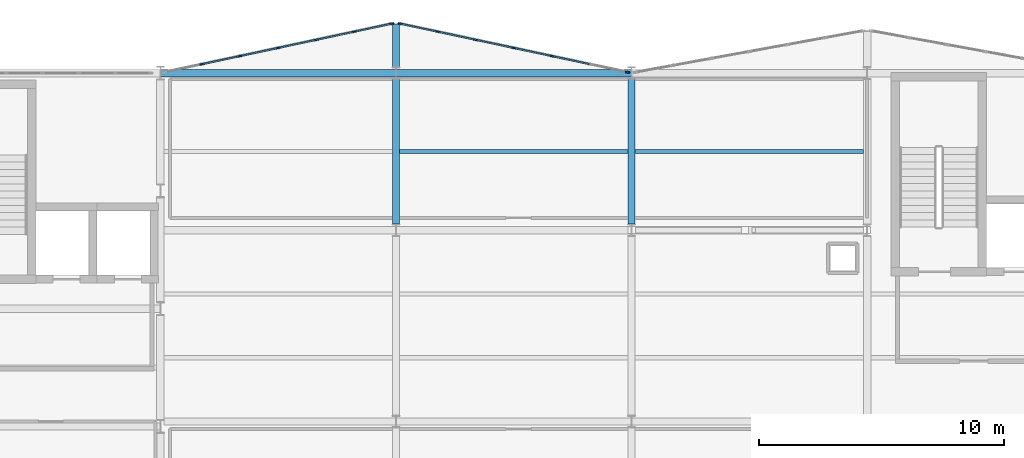
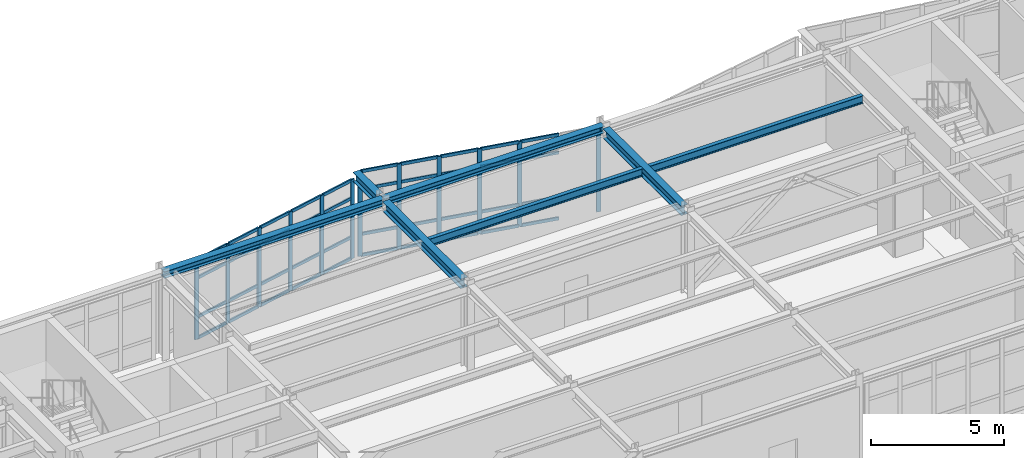
# One storey, part 35 of 76: 52 members, 7 beams, 2 elements without a shape of their own.
"""IFC4 building model written with IfcOpenShell, lengths in metres."""

from ifc_helpers import new_model, si_unit, direction, frame, origin, origin_2d, place, context, subcontext, project, spatial, rectangle, i_section, extrude, material, layer, layer_set, material_profile, profile_set, type_object, element, aggregate, save


model = new_model("IFC4")

# Units and contexts
model_context = context("Model", 3, precision=1e-05, world=origin(), true_north=direction((0.0, 1.0)))
body_context = subcontext(model_context, "Body", "Model", "MODEL_VIEW")
ifc_project = project(units=[si_unit("LENGTHUNIT", "METRE"), si_unit("AREAUNIT", "SQUARE_METRE"), si_unit("VOLUMEUNIT", "CUBIC_METRE"), si_unit("PLANEANGLEUNIT", "RADIAN"), si_unit("MASSUNIT", "GRAM", prefix="KILO")], contexts=[model_context])

# Site, building, storey
site_placement = place(None, origin())
site = spatial("IfcSite", under=ifc_project, at=site_placement, CompositionType="ELEMENT")
building_placement = place(site_placement, origin())
building = spatial("IfcBuilding", under=site, at=building_placement, Name="Nordkorset Police Headquarters", CompositionType="ELEMENT")
storey_placement = place(building_placement, frame((0.0, 0.0, 13.64990234375)))
storey = spatial("IfcBuildingStorey", under=building, at=storey_placement, Name="L03", CompositionType="ELEMENT", Elevation=13.64990234375)

# Beams
ifc_material_1 = material(Name="Steel S355J2", Category="steel")
ifc_material_profile_1 = material_profile(ifc_material_1, i_section(OverallWidth=0.169921875, OverallDepth=0.360107421875, WebThickness=0.008056640625, FlangeThickness=0.0126953125, FilletRadius=0.01806640625, at=origin_2d()), Name="IPE 360")
ifc_profile_set_1 = profile_set([ifc_material_profile_1], Name="Steel S355J2")
beam_type_1 = type_object("IfcBeamType", Name="Beam_IPE_360", PredefinedType="BEAM", material=ifc_profile_set_1)
for number, where, z_axis, x_axis, name in (
    (1, (38.550048828125, 113.60009765625, 3.800048828125), (1.0, 0.0, 0.0), (0.0, 1.0, 0.0), "Composite Floor Beam V2 L03 1-2-1"),
    (2, (48.14990234375, 113.60009765625, 3.800048828125), (1.0, 0.0, 0.0), (0.0, 1.0, 0.0), "Composite Floor Beam V2 L03 2-2-1"),
):
    element("IfcBeam", number, at=place(storey_placement, frame(where, z_axis=z_axis, x_axis=x_axis)), inside=storey, type_object=beam_type_1, Name=name, PredefinedType="BEAM", context=body_context, shape_type="SweptSolid", body=[
        extrude(i_section(OverallWidth=0.169921875, OverallDepth=0.360107421875, WebThickness=0.008056640625, FlangeThickness=0.0126953125, FilletRadius=0.01806640625, at=origin_2d()), origin(), (0.0, 0.0, 1.0), 9.300048828125),
    ])

# Curtain wall, members
ifc_material_2 = material(Name="Aluminium alloy AW-6060", Category="aluminium")
ifc_layer_1 = layer(ifc_material_2, 0.179931640625, Name="Aluminium alloy AW-6060")
ifc_layer_set_1 = layer_set([ifc_layer_1], Name="Aluminium alloy AW-6060")
curtain_wall_type_1 = type_object("IfcCurtainWallType", Name="CW_Unit_954x365", PredefinedType="USERDEFINED", material=ifc_layer_set_1)
curtain_wall_1_placement = place(storey_placement, origin())
curtain_wall_1 = element("IfcCurtainWall", 3, at=curtain_wall_1_placement, inside=storey, type_object=curtain_wall_type_1, Name="Unitised Curtain Wall L03 V2N-0", ObjectType="UNITISED CURTAIN WALL", PredefinedType="USERDEFINED")
ifc_material_3 = material(Name="Aluminium alloy AW-6060", Category="aluminium")
ifc_material_profile_2 = material_profile(ifc_material_3, rectangle(XDim=0.06494140625, YDim=0.179931640625, at=origin_2d()), Name="ALU MULL 65x180")
ifc_profile_set_2 = profile_set([ifc_material_profile_2], Name="Aluminium alloy AW-6060")
member_type_1 = type_object("IfcMemberType", Name="CW_Mullion_65x180", PredefinedType="MULLION", material=ifc_profile_set_2)
member_1_placement = place(storey_placement, frame((30.4912109375, 117.1611328125, 0.0), z_axis=(0.0, 0.0, 1.0), x_axis=(-0.208832534289, 0.977951416289, 0.0)))
member_1 = element("IfcMember", 4, at=member_1_placement, type_object=member_type_1, Name="CW-83 mullion 2", PredefinedType="MULLION", context=body_context, shape_type="SweptSolid", body=[
    extrude(rectangle(XDim=0.06494140625, YDim=0.179931640625, at=origin_2d()), origin(), (0.0, 0.0, 1.0), 3.650146484375),
])
member_2_placement = place(storey_placement, frame((32.045654296875, 117.4931640625, 0.0), z_axis=(0.0, 0.0, 1.0), x_axis=(-0.208832534289, 0.977951416289, 0.0)))
member_2 = element("IfcMember", 5, at=member_2_placement, type_object=member_type_1, Name="CW-83 mullion 3", PredefinedType="MULLION", context=body_context, shape_type="SweptSolid", body=[
    extrude(rectangle(XDim=0.06494140625, YDim=0.179931640625, at=origin_2d()), origin(), (0.0, 0.0, 1.0), 3.650146484375),
])
member_3_placement = place(storey_placement, frame((33.60009765625, 117.824951171875, 0.0), z_axis=(0.0, 0.0, 1.0), x_axis=(-0.208832534289, 0.977951416289, 0.0)))
member_3 = element("IfcMember", 6, at=member_3_placement, type_object=member_type_1, Name="CW-83 mullion 4", PredefinedType="MULLION", context=body_context, shape_type="SweptSolid", body=[
    extrude(rectangle(XDim=0.06494140625, YDim=0.179931640625, at=origin_2d()), origin(), (0.0, 0.0, 1.0), 3.650146484375),
])
member_4_placement = place(storey_placement, frame((35.154296875, 118.156982421875, 0.0), z_axis=(0.0, 0.0, 1.0), x_axis=(-0.208832534289, 0.977951416289, 0.0)))
member_4 = element("IfcMember", 7, at=member_4_placement, type_object=member_type_1, Name="CW-83 mullion 5", PredefinedType="MULLION", context=body_context, shape_type="SweptSolid", body=[
    extrude(rectangle(XDim=0.06494140625, YDim=0.179931640625, at=origin_2d()), origin(), (0.0, 0.0, 1.0), 3.650146484375),
])
member_5_placement = place(storey_placement, frame((36.708740234375, 118.48876953125, 0.0), z_axis=(0.0, 0.0, 1.0), x_axis=(-0.208832534289, 0.977951416289, 0.0)))
member_5 = element("IfcMember", 8, at=member_5_placement, type_object=member_type_1, Name="CW-83 mullion 6", PredefinedType="MULLION", context=body_context, shape_type="SweptSolid", body=[
    extrude(rectangle(XDim=0.06494140625, YDim=0.179931640625, at=origin_2d()), origin(), (0.0, 0.0, 1.0), 3.650146484375),
])
member_6_placement = place(storey_placement, frame((38.231201171875, 118.81396484375, 0.0), z_axis=(0.0, 0.0, 1.0), x_axis=(-0.208832534289, 0.977951416289, 0.0)))
member_6 = element("IfcMember", 9, at=member_6_placement, type_object=member_type_1, Name="CW-83 mullion 7", PredefinedType="MULLION", context=body_context, shape_type="SweptSolid", body=[
    extrude(rectangle(XDim=0.06494140625, YDim=0.179931640625, at=origin_2d()), origin(), (0.0, 0.0, 1.0), 3.650146484375),
])

ifc_material_4 = material(Name="Aluminium alloy AW-6060", Category="aluminium")
ifc_layer_2 = layer(ifc_material_4, 0.179931640625, Name="Aluminium alloy AW-6060")
ifc_layer_set_2 = layer_set([ifc_layer_2], Name="Aluminium alloy AW-6060")
curtain_wall_type_2 = type_object("IfcCurtainWallType", Name="CW_Unit_954x392", PredefinedType="USERDEFINED", material=ifc_layer_set_2)
curtain_wall_2_placement = place(storey_placement, origin())
curtain_wall_2 = element("IfcCurtainWall", 10, at=curtain_wall_2_placement, inside=storey, type_object=curtain_wall_type_2, Name="Unitised Curtain Wall L03 V2N-1", ObjectType="UNITISED CURTAIN WALL", PredefinedType="USERDEFINED")
member_7_placement = place(storey_placement, frame((38.568603515625, 118.81396484375, 0.0), z_axis=(0.0, 0.0, 1.0), x_axis=(0.208832534289, 0.977951416289, 0.0)))
member_7 = element("IfcMember", 11, at=member_7_placement, type_object=member_type_1, Name="CW-20 mullion 1", PredefinedType="MULLION", context=body_context, shape_type="SweptSolid", body=[
    extrude(rectangle(XDim=0.06494140625, YDim=0.179931640625, at=origin_2d()), origin(), (0.0, 0.0, 1.0), 3.920166015625),
])
member_8_placement = place(storey_placement, frame((40.09130859375, 118.48876953125, 0.0), z_axis=(0.0, 0.0, 1.0), x_axis=(0.208832534289, 0.977951416289, 0.0)))
member_8 = element("IfcMember", 12, at=member_8_placement, type_object=member_type_1, Name="CW-20 mullion 2", PredefinedType="MULLION", context=body_context, shape_type="SweptSolid", body=[
    extrude(rectangle(XDim=0.06494140625, YDim=0.179931640625, at=origin_2d()), origin(), (0.0, 0.0, 1.0), 3.920166015625),
])
member_9_placement = place(storey_placement, frame((41.645751953125, 118.156982421875, 0.0), z_axis=(0.0, 0.0, 1.0), x_axis=(0.208832534289, 0.977951416289, 0.0)))
member_9 = element("IfcMember", 13, at=member_9_placement, type_object=member_type_1, Name="CW-20 mullion 3", PredefinedType="MULLION", context=body_context, shape_type="SweptSolid", body=[
    extrude(rectangle(XDim=0.06494140625, YDim=0.179931640625, at=origin_2d()), origin(), (0.0, 0.0, 1.0), 3.920166015625),
])
member_10_placement = place(storey_placement, frame((43.199951171875, 117.824951171875, 0.0), z_axis=(0.0, 0.0, 1.0), x_axis=(0.208832534289, 0.977951416289, 0.0)))
member_10 = element("IfcMember", 14, at=member_10_placement, type_object=member_type_1, Name="CW-20 mullion 4", PredefinedType="MULLION", context=body_context, shape_type="SweptSolid", body=[
    extrude(rectangle(XDim=0.06494140625, YDim=0.179931640625, at=origin_2d()), origin(), (0.0, 0.0, 1.0), 3.920166015625),
])
member_11_placement = place(storey_placement, frame((44.75439453125, 117.4931640625, 0.0), z_axis=(0.0, 0.0, 1.0), x_axis=(0.208832534289, 0.977951416289, 0.0)))
member_11 = element("IfcMember", 15, at=member_11_placement, type_object=member_type_1, Name="CW-20 mullion 5", PredefinedType="MULLION", context=body_context, shape_type="SweptSolid", body=[
    extrude(rectangle(XDim=0.06494140625, YDim=0.179931640625, at=origin_2d()), origin(), (0.0, 0.0, 1.0), 3.920166015625),
])
member_12_placement = place(storey_placement, frame((47.831298828125, 116.8359375, 0.0), z_axis=(0.0, 0.0, 1.0), x_axis=(0.208832534289, 0.977951416289, 0.0)))
member_12 = element("IfcMember", 16, at=member_12_placement, type_object=member_type_1, Name="CW-20 mullion 7", PredefinedType="MULLION", context=body_context, shape_type="SweptSolid", body=[
    extrude(rectangle(XDim=0.06494140625, YDim=0.179931640625, at=origin_2d()), origin(), (0.0, 0.0, 1.0), 3.920166015625),
])

# Member
ifc_material_5 = material(Name="Aluminium alloy AW-6060", Category="aluminium")
ifc_material_profile_3 = material_profile(ifc_material_5, rectangle(XDim=0.06494140625, YDim=0.139892578125, at=origin_2d()), Name="ALU TRAN 65x140")
ifc_profile_set_3 = profile_set([ifc_material_profile_3], Name="Aluminium alloy AW-6060")
member_type_2 = type_object("IfcMemberType", Name="CW_Transom_65x140", PredefinedType="USERDEFINED", material=ifc_profile_set_3)
member_13_placement = place(storey_placement, frame((30.52294921875, 117.16796875, 0.03271484375), z_axis=(0.977954480787, 0.208818182896, 0.0), x_axis=(-0.208818182896, 0.977954480787, 0.0)))
member_13 = element("IfcMember", 17, at=member_13_placement, type_object=member_type_2, Name="CW-83 transom 2.1", ObjectType="TRANSOM", PredefinedType="USERDEFINED", context=body_context, shape_type="SweptSolid", body=[
    extrude(rectangle(XDim=0.06494140625, YDim=0.139892578125, at=origin_2d()), origin(), (0.0, 0.0, 1.0), 1.524658203125),
])

member_14_placement = place(storey_placement, frame((30.52294921875, 117.16796875, 1.0), z_axis=(0.977954480787, 0.208818182896, 0.0), x_axis=(-0.208818182896, 0.977954480787, 0.0)))
member_14 = element("IfcMember", 18, at=member_14_placement, type_object=member_type_2, Name="CW-83 transom 2.2", ObjectType="TRANSOM", PredefinedType="USERDEFINED", context=body_context, shape_type="SweptSolid", body=[
    extrude(rectangle(XDim=0.06494140625, YDim=0.139892578125, at=origin_2d()), origin(), (0.0, 0.0, 1.0), 1.524658203125),
])

member_15_placement = place(storey_placement, frame((30.52294921875, 117.16796875, 2.800048828125), z_axis=(0.977954480787, 0.208818182896, 0.0), x_axis=(-0.208818182896, 0.977954480787, 0.0)))
member_15 = element("IfcMember", 19, at=member_15_placement, type_object=member_type_2, Name="CW-83 transom 2.3", ObjectType="TRANSOM", PredefinedType="USERDEFINED", context=body_context, shape_type="SweptSolid", body=[
    extrude(rectangle(XDim=0.06494140625, YDim=0.139892578125, at=origin_2d()), origin(), (0.0, 0.0, 1.0), 1.524658203125),
])

member_16_placement = place(storey_placement, frame((30.52294921875, 117.16796875, 3.61767578125), z_axis=(0.977954480787, 0.208818182896, 0.0), x_axis=(-0.208818182896, 0.977954480787, 0.0)))
member_16 = element("IfcMember", 20, at=member_16_placement, type_object=member_type_2, Name="CW-83 transom 2.4", ObjectType="TRANSOM", PredefinedType="USERDEFINED", context=body_context, shape_type="SweptSolid", body=[
    extrude(rectangle(XDim=0.06494140625, YDim=0.139892578125, at=origin_2d()), origin(), (0.0, 0.0, 1.0), 1.524658203125),
])

member_17_placement = place(storey_placement, frame((32.077392578125, 117.499755859375, 0.03271484375), z_axis=(0.977947496383, 0.208850890154, 0.0), x_axis=(-0.208850890154, 0.977947496383, 0.0)))
member_17 = element("IfcMember", 21, at=member_17_placement, type_object=member_type_2, Name="CW-83 transom 3.1", ObjectType="TRANSOM", PredefinedType="USERDEFINED", context=body_context, shape_type="SweptSolid", body=[
    extrude(rectangle(XDim=0.06494140625, YDim=0.139892578125, at=origin_2d()), origin(), (0.0, 0.0, 1.0), 1.5244140625),
])

member_18_placement = place(storey_placement, frame((32.077392578125, 117.499755859375, 1.0), z_axis=(0.977947496383, 0.208850890154, 0.0), x_axis=(-0.208850890154, 0.977947496383, 0.0)))
member_18 = element("IfcMember", 22, at=member_18_placement, type_object=member_type_2, Name="CW-83 transom 3.2", ObjectType="TRANSOM", PredefinedType="USERDEFINED", context=body_context, shape_type="SweptSolid", body=[
    extrude(rectangle(XDim=0.06494140625, YDim=0.139892578125, at=origin_2d()), origin(), (0.0, 0.0, 1.0), 1.5244140625),
])

member_19_placement = place(storey_placement, frame((32.077392578125, 117.499755859375, 2.800048828125), z_axis=(0.977947496383, 0.208850890154, 0.0), x_axis=(-0.208850890154, 0.977947496383, 0.0)))
member_19 = element("IfcMember", 23, at=member_19_placement, type_object=member_type_2, Name="CW-83 transom 3.3", ObjectType="TRANSOM", PredefinedType="USERDEFINED", context=body_context, shape_type="SweptSolid", body=[
    extrude(rectangle(XDim=0.06494140625, YDim=0.139892578125, at=origin_2d()), origin(), (0.0, 0.0, 1.0), 1.5244140625),
])

member_20_placement = place(storey_placement, frame((32.077392578125, 117.499755859375, 3.61767578125), z_axis=(0.977947496383, 0.208850890154, 0.0), x_axis=(-0.208850890154, 0.977947496383, 0.0)))
member_20 = element("IfcMember", 24, at=member_20_placement, type_object=member_type_2, Name="CW-83 transom 3.4", ObjectType="TRANSOM", PredefinedType="USERDEFINED", context=body_context, shape_type="SweptSolid", body=[
    extrude(rectangle(XDim=0.06494140625, YDim=0.139892578125, at=origin_2d()), origin(), (0.0, 0.0, 1.0), 1.5244140625),
])

member_21_placement = place(storey_placement, frame((33.6318359375, 117.831787109375, 0.03271484375), z_axis=(0.977947496383, 0.208850890154, 0.0), x_axis=(-0.208850890154, 0.977947496383, 0.0)))
member_21 = element("IfcMember", 25, at=member_21_placement, type_object=member_type_2, Name="CW-83 transom 4.1", ObjectType="TRANSOM", PredefinedType="USERDEFINED", context=body_context, shape_type="SweptSolid", body=[
    extrude(rectangle(XDim=0.06494140625, YDim=0.139892578125, at=origin_2d()), origin(), (0.0, 0.0, 1.0), 1.5244140625),
])

member_22_placement = place(storey_placement, frame((33.6318359375, 117.831787109375, 1.0), z_axis=(0.977947496383, 0.208850890154, 0.0), x_axis=(-0.208850890154, 0.977947496383, 0.0)))
member_22 = element("IfcMember", 26, at=member_22_placement, type_object=member_type_2, Name="CW-83 transom 4.2", ObjectType="TRANSOM", PredefinedType="USERDEFINED", context=body_context, shape_type="SweptSolid", body=[
    extrude(rectangle(XDim=0.06494140625, YDim=0.139892578125, at=origin_2d()), origin(), (0.0, 0.0, 1.0), 1.5244140625),
])

member_23_placement = place(storey_placement, frame((33.6318359375, 117.831787109375, 2.800048828125), z_axis=(0.977947496383, 0.208850890154, 0.0), x_axis=(-0.208850890154, 0.977947496383, 0.0)))
member_23 = element("IfcMember", 27, at=member_23_placement, type_object=member_type_2, Name="CW-83 transom 4.3", ObjectType="TRANSOM", PredefinedType="USERDEFINED", context=body_context, shape_type="SweptSolid", body=[
    extrude(rectangle(XDim=0.06494140625, YDim=0.139892578125, at=origin_2d()), origin(), (0.0, 0.0, 1.0), 1.5244140625),
])

member_24_placement = place(storey_placement, frame((33.6318359375, 117.831787109375, 3.61767578125), z_axis=(0.977947496383, 0.208850890154, 0.0), x_axis=(-0.208850890154, 0.977947496383, 0.0)))
member_24 = element("IfcMember", 28, at=member_24_placement, type_object=member_type_2, Name="CW-83 transom 4.4", ObjectType="TRANSOM", PredefinedType="USERDEFINED", context=body_context, shape_type="SweptSolid", body=[
    extrude(rectangle(XDim=0.06494140625, YDim=0.139892578125, at=origin_2d()), origin(), (0.0, 0.0, 1.0), 1.5244140625),
])

member_25_placement = place(storey_placement, frame((35.18603515625, 118.163818359375, 0.03271484375), z_axis=(0.97798717214, 0.208665021336, 0.0), x_axis=(-0.208665021336, 0.97798717214, 0.0)))
member_25 = element("IfcMember", 29, at=member_25_placement, type_object=member_type_2, Name="CW-83 transom 5.1", ObjectType="TRANSOM", PredefinedType="USERDEFINED", context=body_context, shape_type="SweptSolid", body=[
    extrude(rectangle(XDim=0.06494140625, YDim=0.139892578125, at=origin_2d()), origin(), (0.0, 0.0, 1.0), 1.5244140625),
])

member_26_placement = place(storey_placement, frame((35.18603515625, 118.163818359375, 1.0), z_axis=(0.97798717214, 0.208665021336, 0.0), x_axis=(-0.208665021336, 0.97798717214, 0.0)))
member_26 = element("IfcMember", 30, at=member_26_placement, type_object=member_type_2, Name="CW-83 transom 5.2", ObjectType="TRANSOM", PredefinedType="USERDEFINED", context=body_context, shape_type="SweptSolid", body=[
    extrude(rectangle(XDim=0.06494140625, YDim=0.139892578125, at=origin_2d()), origin(), (0.0, 0.0, 1.0), 1.5244140625),
])

member_27_placement = place(storey_placement, frame((35.18603515625, 118.163818359375, 2.800048828125), z_axis=(0.97798717214, 0.208665021336, 0.0), x_axis=(-0.208665021336, 0.97798717214, 0.0)))
member_27 = element("IfcMember", 31, at=member_27_placement, type_object=member_type_2, Name="CW-83 transom 5.3", ObjectType="TRANSOM", PredefinedType="USERDEFINED", context=body_context, shape_type="SweptSolid", body=[
    extrude(rectangle(XDim=0.06494140625, YDim=0.139892578125, at=origin_2d()), origin(), (0.0, 0.0, 1.0), 1.5244140625),
])

member_28_placement = place(storey_placement, frame((35.18603515625, 118.163818359375, 3.61767578125), z_axis=(0.97798717214, 0.208665021336, 0.0), x_axis=(-0.208665021336, 0.97798717214, 0.0)))
member_28 = element("IfcMember", 32, at=member_28_placement, type_object=member_type_2, Name="CW-83 transom 5.4", ObjectType="TRANSOM", PredefinedType="USERDEFINED", context=body_context, shape_type="SweptSolid", body=[
    extrude(rectangle(XDim=0.06494140625, YDim=0.139892578125, at=origin_2d()), origin(), (0.0, 0.0, 1.0), 1.5244140625),
])

member_29_placement = place(storey_placement, frame((36.740478515625, 118.49560546875, 0.03271484375), z_axis=(0.977955422008, 0.208813774846, 0.0), x_axis=(-0.208813774846, 0.977955422008, 0.0)))
member_29 = element("IfcMember", 33, at=member_29_placement, type_object=member_type_2, Name="CW-83 transom 6.1", ObjectType="TRANSOM", PredefinedType="USERDEFINED", context=body_context, shape_type="SweptSolid", body=[
    extrude(rectangle(XDim=0.06494140625, YDim=0.139892578125, at=origin_2d()), origin(), (0.0, 0.0, 1.0), 1.491943359375),
])

member_30_placement = place(storey_placement, frame((36.740478515625, 118.49560546875, 1.0), z_axis=(0.977955422008, 0.208813774846, 0.0), x_axis=(-0.208813774846, 0.977955422008, 0.0)))
member_30 = element("IfcMember", 34, at=member_30_placement, type_object=member_type_2, Name="CW-83 transom 6.2", ObjectType="TRANSOM", PredefinedType="USERDEFINED", context=body_context, shape_type="SweptSolid", body=[
    extrude(rectangle(XDim=0.06494140625, YDim=0.139892578125, at=origin_2d()), origin(), (0.0, 0.0, 1.0), 1.491943359375),
])

member_31_placement = place(storey_placement, frame((36.740478515625, 118.49560546875, 2.800048828125), z_axis=(0.977955422008, 0.208813774846, 0.0), x_axis=(-0.208813774846, 0.977955422008, 0.0)))
member_31 = element("IfcMember", 35, at=member_31_placement, type_object=member_type_2, Name="CW-83 transom 6.3", ObjectType="TRANSOM", PredefinedType="USERDEFINED", context=body_context, shape_type="SweptSolid", body=[
    extrude(rectangle(XDim=0.06494140625, YDim=0.139892578125, at=origin_2d()), origin(), (0.0, 0.0, 1.0), 1.491943359375),
])

member_32_placement = place(storey_placement, frame((36.740478515625, 118.49560546875, 3.61767578125), z_axis=(0.977955422008, 0.208813774846, 0.0), x_axis=(-0.208813774846, 0.977955422008, 0.0)))
member_32 = element("IfcMember", 36, at=member_32_placement, type_object=member_type_2, Name="CW-83 transom 6.4", ObjectType="TRANSOM", PredefinedType="USERDEFINED", context=body_context, shape_type="SweptSolid", body=[
    extrude(rectangle(XDim=0.06494140625, YDim=0.139892578125, at=origin_2d()), origin(), (0.0, 0.0, 1.0), 1.491943359375),
])

aggregate(curtain_wall_1, [member_1, member_2, member_3, member_4, member_5, member_6, member_13, member_14, member_15, member_16, member_17, member_18, member_19, member_20, member_21, member_22, member_23, member_24, member_25, member_26, member_27, member_28, member_29, member_30, member_31, member_32])

member_33_placement = place(storey_placement, frame((38.6005859375, 118.80712890625, 0.03271484375), z_axis=(0.977955422008, -0.208813774846, 0.0), x_axis=(0.208813774846, 0.977955422008, 0.0)))
member_33 = element("IfcMember", 37, at=member_33_placement, type_object=member_type_2, Name="CW-20 transom 1.1", ObjectType="TRANSOM", PredefinedType="USERDEFINED", context=body_context, shape_type="SweptSolid", body=[
    extrude(rectangle(XDim=0.06494140625, YDim=0.139892578125, at=origin_2d()), origin(), (0.0, 0.0, 1.0), 1.491943359375),
])

member_34_placement = place(storey_placement, frame((38.6005859375, 118.80712890625, 1.0), z_axis=(0.977955422008, -0.208813774846, 0.0), x_axis=(0.208813774846, 0.977955422008, 0.0)))
member_34 = element("IfcMember", 38, at=member_34_placement, type_object=member_type_2, Name="CW-20 transom 1.2", ObjectType="TRANSOM", PredefinedType="USERDEFINED", context=body_context, shape_type="SweptSolid", body=[
    extrude(rectangle(XDim=0.06494140625, YDim=0.139892578125, at=origin_2d()), origin(), (0.0, 0.0, 1.0), 1.491943359375),
])

member_35_placement = place(storey_placement, frame((38.6005859375, 118.80712890625, 3.070068359375), z_axis=(0.977955422008, -0.208813774846, 0.0), x_axis=(0.208813774846, 0.977955422008, 0.0)))
member_35 = element("IfcMember", 39, at=member_35_placement, type_object=member_type_2, Name="CW-20 transom 1.3", ObjectType="TRANSOM", PredefinedType="USERDEFINED", context=body_context, shape_type="SweptSolid", body=[
    extrude(rectangle(XDim=0.06494140625, YDim=0.139892578125, at=origin_2d()), origin(), (0.0, 0.0, 1.0), 1.491943359375),
])

member_36_placement = place(storey_placement, frame((38.6005859375, 118.80712890625, 3.8876953125), z_axis=(0.977955422008, -0.208813774846, 0.0), x_axis=(0.208813774846, 0.977955422008, 0.0)))
member_36 = element("IfcMember", 40, at=member_36_placement, type_object=member_type_2, Name="CW-20 transom 1.4", ObjectType="TRANSOM", PredefinedType="USERDEFINED", context=body_context, shape_type="SweptSolid", body=[
    extrude(rectangle(XDim=0.06494140625, YDim=0.139892578125, at=origin_2d()), origin(), (0.0, 0.0, 1.0), 1.491943359375),
])

member_37_placement = place(storey_placement, frame((40.123046875, 118.48193359375, 0.03271484375), z_axis=(0.977980197745, -0.20869770679, 0.0), x_axis=(0.20869770679, 0.977980197745, 0.0)))
member_37 = element("IfcMember", 41, at=member_37_placement, type_object=member_type_2, Name="CW-20 transom 2.1", ObjectType="TRANSOM", PredefinedType="USERDEFINED", context=body_context, shape_type="SweptSolid", body=[
    extrude(rectangle(XDim=0.06494140625, YDim=0.139892578125, at=origin_2d()), origin(), (0.0, 0.0, 1.0), 1.524169921875),
])

member_38_placement = place(storey_placement, frame((40.123046875, 118.48193359375, 1.0), z_axis=(0.977980197745, -0.20869770679, 0.0), x_axis=(0.20869770679, 0.977980197745, 0.0)))
member_38 = element("IfcMember", 42, at=member_38_placement, type_object=member_type_2, Name="CW-20 transom 2.2", ObjectType="TRANSOM", PredefinedType="USERDEFINED", context=body_context, shape_type="SweptSolid", body=[
    extrude(rectangle(XDim=0.06494140625, YDim=0.139892578125, at=origin_2d()), origin(), (0.0, 0.0, 1.0), 1.524169921875),
])

member_39_placement = place(storey_placement, frame((40.123046875, 118.48193359375, 3.070068359375), z_axis=(0.977980197745, -0.20869770679, 0.0), x_axis=(0.20869770679, 0.977980197745, 0.0)))
member_39 = element("IfcMember", 43, at=member_39_placement, type_object=member_type_2, Name="CW-20 transom 2.3", ObjectType="TRANSOM", PredefinedType="USERDEFINED", context=body_context, shape_type="SweptSolid", body=[
    extrude(rectangle(XDim=0.06494140625, YDim=0.139892578125, at=origin_2d()), origin(), (0.0, 0.0, 1.0), 1.524169921875),
])

member_40_placement = place(storey_placement, frame((40.123046875, 118.48193359375, 3.8876953125), z_axis=(0.977980197745, -0.20869770679, 0.0), x_axis=(0.20869770679, 0.977980197745, 0.0)))
member_40 = element("IfcMember", 44, at=member_40_placement, type_object=member_type_2, Name="CW-20 transom 2.4", ObjectType="TRANSOM", PredefinedType="USERDEFINED", context=body_context, shape_type="SweptSolid", body=[
    extrude(rectangle(XDim=0.06494140625, YDim=0.139892578125, at=origin_2d()), origin(), (0.0, 0.0, 1.0), 1.524169921875),
])

member_41_placement = place(storey_placement, frame((41.677490234375, 118.150146484375, 0.03271484375), z_axis=(0.977947496383, -0.208850890154, 0.0), x_axis=(0.208850890154, 0.977947496383, 0.0)))
member_41 = element("IfcMember", 45, at=member_41_placement, type_object=member_type_2, Name="CW-20 transom 3.1", ObjectType="TRANSOM", PredefinedType="USERDEFINED", context=body_context, shape_type="SweptSolid", body=[
    extrude(rectangle(XDim=0.06494140625, YDim=0.139892578125, at=origin_2d()), origin(), (0.0, 0.0, 1.0), 1.5244140625),
])

member_42_placement = place(storey_placement, frame((41.677490234375, 118.150146484375, 1.0), z_axis=(0.977947496383, -0.208850890154, 0.0), x_axis=(0.208850890154, 0.977947496383, 0.0)))
member_42 = element("IfcMember", 46, at=member_42_placement, type_object=member_type_2, Name="CW-20 transom 3.2", ObjectType="TRANSOM", PredefinedType="USERDEFINED", context=body_context, shape_type="SweptSolid", body=[
    extrude(rectangle(XDim=0.06494140625, YDim=0.139892578125, at=origin_2d()), origin(), (0.0, 0.0, 1.0), 1.5244140625),
])

member_43_placement = place(storey_placement, frame((41.677490234375, 118.150146484375, 3.070068359375), z_axis=(0.977947496383, -0.208850890154, 0.0), x_axis=(0.208850890154, 0.977947496383, 0.0)))
member_43 = element("IfcMember", 47, at=member_43_placement, type_object=member_type_2, Name="CW-20 transom 3.3", ObjectType="TRANSOM", PredefinedType="USERDEFINED", context=body_context, shape_type="SweptSolid", body=[
    extrude(rectangle(XDim=0.06494140625, YDim=0.139892578125, at=origin_2d()), origin(), (0.0, 0.0, 1.0), 1.5244140625),
])

member_44_placement = place(storey_placement, frame((41.677490234375, 118.150146484375, 3.8876953125), z_axis=(0.977947496383, -0.208850890154, 0.0), x_axis=(0.208850890154, 0.977947496383, 0.0)))
member_44 = element("IfcMember", 48, at=member_44_placement, type_object=member_type_2, Name="CW-20 transom 3.4", ObjectType="TRANSOM", PredefinedType="USERDEFINED", context=body_context, shape_type="SweptSolid", body=[
    extrude(rectangle(XDim=0.06494140625, YDim=0.139892578125, at=origin_2d()), origin(), (0.0, 0.0, 1.0), 1.5244140625),
])

member_45_placement = place(storey_placement, frame((43.231689453125, 117.818115234375, 0.03271484375), z_axis=(0.977954480787, -0.208818182896, 0.0), x_axis=(0.208818182896, 0.977954480787, 0.0)))
member_45 = element("IfcMember", 49, at=member_45_placement, type_object=member_type_2, Name="CW-20 transom 4.1", ObjectType="TRANSOM", PredefinedType="USERDEFINED", context=body_context, shape_type="SweptSolid", body=[
    extrude(rectangle(XDim=0.06494140625, YDim=0.139892578125, at=origin_2d()), origin(), (0.0, 0.0, 1.0), 1.524658203125),
])

member_46_placement = place(storey_placement, frame((43.231689453125, 117.818115234375, 1.0), z_axis=(0.977954480787, -0.208818182896, 0.0), x_axis=(0.208818182896, 0.977954480787, 0.0)))
member_46 = element("IfcMember", 50, at=member_46_placement, type_object=member_type_2, Name="CW-20 transom 4.2", ObjectType="TRANSOM", PredefinedType="USERDEFINED", context=body_context, shape_type="SweptSolid", body=[
    extrude(rectangle(XDim=0.06494140625, YDim=0.139892578125, at=origin_2d()), origin(), (0.0, 0.0, 1.0), 1.524658203125),
])

member_47_placement = place(storey_placement, frame((43.231689453125, 117.818115234375, 3.070068359375), z_axis=(0.977954480787, -0.208818182896, 0.0), x_axis=(0.208818182896, 0.977954480787, 0.0)))
member_47 = element("IfcMember", 51, at=member_47_placement, type_object=member_type_2, Name="CW-20 transom 4.3", ObjectType="TRANSOM", PredefinedType="USERDEFINED", context=body_context, shape_type="SweptSolid", body=[
    extrude(rectangle(XDim=0.06494140625, YDim=0.139892578125, at=origin_2d()), origin(), (0.0, 0.0, 1.0), 1.524658203125),
])

member_48_placement = place(storey_placement, frame((43.231689453125, 117.818115234375, 3.8876953125), z_axis=(0.977954480787, -0.208818182896, 0.0), x_axis=(0.208818182896, 0.977954480787, 0.0)))
member_48 = element("IfcMember", 52, at=member_48_placement, type_object=member_type_2, Name="CW-20 transom 4.4", ObjectType="TRANSOM", PredefinedType="USERDEFINED", context=body_context, shape_type="SweptSolid", body=[
    extrude(rectangle(XDim=0.06494140625, YDim=0.139892578125, at=origin_2d()), origin(), (0.0, 0.0, 1.0), 1.524658203125),
])

member_49_placement = place(storey_placement, frame((44.7861328125, 117.486328125, 0.03271484375), z_axis=(0.977947496383, -0.208850890154, 0.0), x_axis=(0.208850890154, 0.977947496383, 0.0)))
member_49 = element("IfcMember", 53, at=member_49_placement, type_object=member_type_2, Name="CW-20 transom 5.1", ObjectType="TRANSOM", PredefinedType="USERDEFINED", context=body_context, shape_type="SweptSolid", body=[
    extrude(rectangle(XDim=0.06494140625, YDim=0.139892578125, at=origin_2d()), origin(), (0.0, 0.0, 1.0), 1.5244140625),
])

member_50_placement = place(storey_placement, frame((44.7861328125, 117.486328125, 1.0), z_axis=(0.977947496383, -0.208850890154, 0.0), x_axis=(0.208850890154, 0.977947496383, 0.0)))
member_50 = element("IfcMember", 54, at=member_50_placement, type_object=member_type_2, Name="CW-20 transom 5.2", ObjectType="TRANSOM", PredefinedType="USERDEFINED", context=body_context, shape_type="SweptSolid", body=[
    extrude(rectangle(XDim=0.06494140625, YDim=0.139892578125, at=origin_2d()), origin(), (0.0, 0.0, 1.0), 1.5244140625),
])

member_51_placement = place(storey_placement, frame((44.7861328125, 117.486328125, 3.070068359375), z_axis=(0.977947496383, -0.208850890154, 0.0), x_axis=(0.208850890154, 0.977947496383, 0.0)))
member_51 = element("IfcMember", 55, at=member_51_placement, type_object=member_type_2, Name="CW-20 transom 5.3", ObjectType="TRANSOM", PredefinedType="USERDEFINED", context=body_context, shape_type="SweptSolid", body=[
    extrude(rectangle(XDim=0.06494140625, YDim=0.139892578125, at=origin_2d()), origin(), (0.0, 0.0, 1.0), 1.5244140625),
])

member_52_placement = place(storey_placement, frame((44.7861328125, 117.486328125, 3.8876953125), z_axis=(0.977947496383, -0.208850890154, 0.0), x_axis=(0.208850890154, 0.977947496383, 0.0)))
member_52 = element("IfcMember", 56, at=member_52_placement, type_object=member_type_2, Name="CW-20 transom 5.4", ObjectType="TRANSOM", PredefinedType="USERDEFINED", context=body_context, shape_type="SweptSolid", body=[
    extrude(rectangle(XDim=0.06494140625, YDim=0.139892578125, at=origin_2d()), origin(), (0.0, 0.0, 1.0), 1.5244140625),
])

aggregate(curtain_wall_2, [member_7, member_8, member_9, member_10, member_11, member_12, member_33, member_34, member_35, member_36, member_37, member_38, member_39, member_40, member_41, member_42, member_43, member_44, member_45, member_46, member_47, member_48, member_49, member_50, member_51, member_52])

# Beams
ifc_material_6 = material(Name="Steel S355J2", Category="steel")
ifc_material_profile_4 = material_profile(ifc_material_6, i_section(OverallWidth=0.300048828125, OverallDepth=0.43994140625, WebThickness=0.011474609375, FlangeThickness=0.02099609375, FilletRadius=0.027099609375, at=origin_2d()), Name="HEA 450")
ifc_profile_set_4 = profile_set([ifc_material_profile_4], Name="Steel S355J2")
beam_type_2 = type_object("IfcBeamType", Name="Girder_HEA_450", PredefinedType="USERDEFINED", material=ifc_profile_set_4)
for number, where, z_axis, x_axis, name in (
    (57, (38.39990234375, 110.64990234375, 3.760009765625), (0.0, 1.0, 0.0), (-1.0, 0.0, 0.0), "Girder V2 L03 GY-1-2"),
    (58, (48.0, 110.64990234375, 3.760009765625), (0.0, 1.0, 0.0), (-1.0, 0.0, 0.0), "Girder V2 L03 GY-2-2"),
):
    element("IfcBeam", number, at=place(storey_placement, frame(where, z_axis=z_axis, x_axis=x_axis)), inside=storey, type_object=beam_type_2, Name=name, ObjectType="GIRDER", PredefinedType="USERDEFINED", context=body_context, shape_type="SweptSolid", body=[
        extrude(i_section(OverallWidth=0.300048828125, OverallDepth=0.43994140625, WebThickness=0.011474609375, FlangeThickness=0.02099609375, FilletRadius=0.027099609375, at=origin_2d()), origin(), (0.0, 0.0, 1.0), 5.900146484375),
    ])
beam_1_placement = place(storey_placement, frame((38.39990234375, 117.050048828125, 3.760009765625), z_axis=(0.0, 1.0, 0.0), x_axis=(-1.0, 0.0, 0.0)))
element("IfcBeam", 59, at=beam_1_placement, inside=storey, type_object=beam_type_2, Name="Sawtooth Facade Outrigger V2 L03 38", ObjectType="GIRDER", PredefinedType="USERDEFINED", context=body_context, shape_type="SweptSolid", body=[
    extrude(i_section(OverallWidth=0.300048828125, OverallDepth=0.43994140625, WebThickness=0.011474609375, FlangeThickness=0.02099609375, FilletRadius=0.027099609375, at=origin_2d()), origin(), (0.0, 0.0, 1.0), 1.739990234375),
])
ifc_material_7 = material(Name="Steel S355J2", Category="steel")
ifc_material_profile_5 = material_profile(ifc_material_7, i_section(OverallWidth=0.300048828125, OverallDepth=0.31005859375, WebThickness=0.009033203125, FlangeThickness=0.015380859375, FilletRadius=0.027099609375, at=origin_2d()), Name="HEA 320")
ifc_profile_set_5 = profile_set([ifc_material_profile_5], Name="Steel S355J2")
beam_type_3 = type_object("IfcBeamType", Name="Spandrel_HEA_320", PredefinedType="SPANDREL", material=ifc_profile_set_5)
beam_2_placement = place(storey_placement, frame((28.8076171875, 116.800048828125, 3.8251953125), z_axis=(1.0, 0.0, 0.0), x_axis=(0.0, 1.0, 0.0)))
element("IfcBeam", 60, at=beam_2_placement, inside=storey, type_object=beam_type_3, Name="Girder V2 L03 GX-3-0", PredefinedType="SPANDREL", context=body_context, shape_type="SweptSolid", body=[
    extrude(i_section(OverallWidth=0.300048828125, OverallDepth=0.31005859375, WebThickness=0.009033203125, FlangeThickness=0.015380859375, FilletRadius=0.027099609375, at=origin_2d()), origin(), (0.0, 0.0, 1.0), 9.5849609375),
])
beam_3_placement = place(storey_placement, frame((38.4072265625, 116.800048828125, 3.8251953125), z_axis=(1.0, 0.0, 0.0), x_axis=(0.0, 1.0, 0.0)))
element("IfcBeam", 61, at=beam_3_placement, inside=storey, type_object=beam_type_3, Name="Girder V2 L03 GX-3-1", PredefinedType="SPANDREL", context=body_context, shape_type="SweptSolid", body=[
    extrude(i_section(OverallWidth=0.300048828125, OverallDepth=0.31005859375, WebThickness=0.009033203125, FlangeThickness=0.015380859375, FilletRadius=0.027099609375, at=origin_2d()), origin(), (0.0, 0.0, 1.0), 9.58544921875),
])

save(model, "model.ifc")
